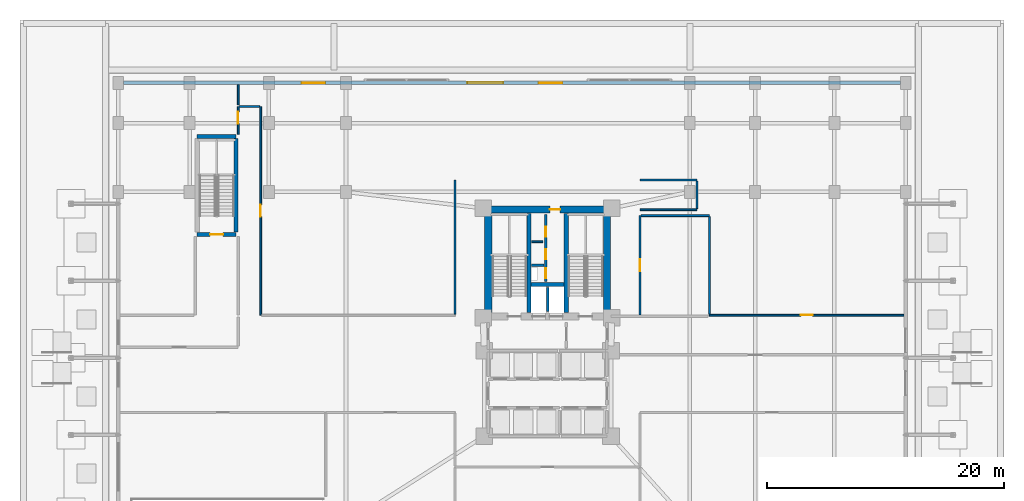
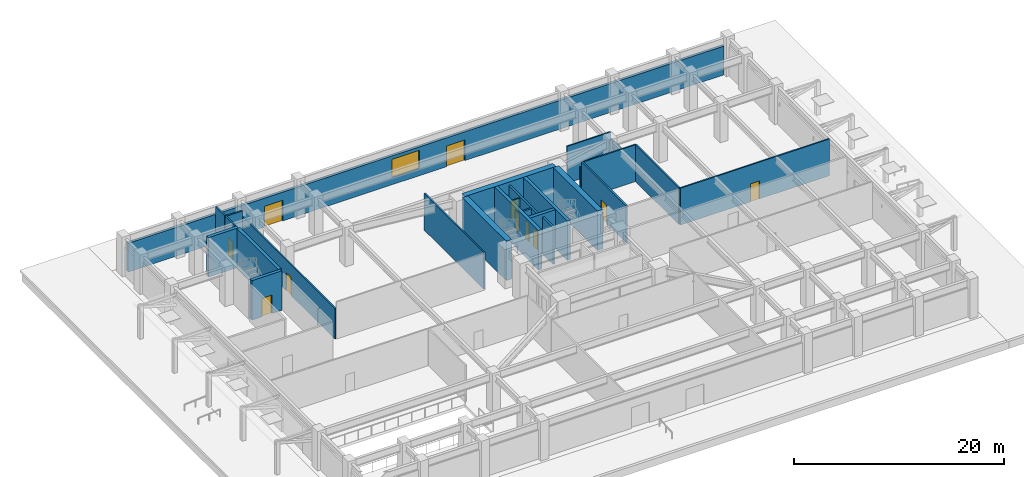
# One storey, part 18 of 23: 26 walls, 11 doors, 1 window, 12 openings.
"""IFC4 building model written with IfcOpenShell, lengths in metres."""

from ifc_helpers import new_model, si_unit, direction, frame, frame_2d, origin, place, context, subcontext, project, spatial, rectangle, extrude, material, layer, layer_set, type_object, element, fill, save


model = new_model("IFC4")

# Units and contexts
model_context = context("Model", 3, precision=1e-05, world=origin(), true_north=direction((0.0, 1.0)))
body_context = subcontext(model_context, "Body", "Model", "MODEL_VIEW")
ifc_project = project(units=[si_unit("LENGTHUNIT", "METRE"), si_unit("AREAUNIT", "SQUARE_METRE"), si_unit("VOLUMEUNIT", "CUBIC_METRE"), si_unit("PLANEANGLEUNIT", "RADIAN"), si_unit("MASSUNIT", "GRAM", prefix="KILO")], contexts=[model_context])

# Site, building, storey
site_placement = place(None, origin())
site = spatial("IfcSite", under=ifc_project, at=site_placement, CompositionType="ELEMENT")
building_placement = place(site_placement, origin())
building = spatial("IfcBuilding", under=site, at=building_placement, Name="Varnakorn Sky Granary", CompositionType="ELEMENT")
storey_placement = place(building_placement, origin())
storey = spatial("IfcBuildingStorey", under=building, at=storey_placement, Name="L00", CompositionType="ELEMENT", Elevation=0.0)

# Wall, opening, door
ifc_material_1 = material(Name="Concrete C50/60", Category="concrete")
ifc_layer_1 = layer(ifc_material_1, 0.35009765625, Name="Concrete C50/60")
ifc_layer_set_1 = layer_set([ifc_layer_1], Name="Concrete C50/60")
wall_type_1 = type_object("IfcWallType", Name="WT-CW-INT-350", PredefinedType="SHEAR", material=ifc_layer_set_1)
wall_1_placement = place(storey_placement, frame((-26.550048828125, 10.419921875, 0.0), z_axis=(0.0, 0.0, 1.0), x_axis=(1.0, 0.0, 0.0)))
wall_1 = element("IfcWall", 1, at=wall_1_placement, inside=storey, type_object=wall_type_1, Name="Podium Stair ST-B3 South Wall L00", PredefinedType="SHEAR", context=body_context, shape_type="SweptSolid", body=[
    extrude(rectangle(XDim=3.280029296875, YDim=0.35009765625, at=frame_2d((1.64013671875, 0.0))), origin(), (0.0, 0.0, 1.0), 4.592041015625),
])
opening_1_placement = place(wall_1_placement, frame((1.090087890625, 0.0, 0.0)))
opening_1 = element("IfcOpeningElement", 2, at=opening_1_placement, cuts=wall_1, Name="Opening FD-90", PredefinedType="OPENING", context=body_context, shape_type="SweptSolid", body=[
    extrude(rectangle(XDim=1.10009765625, YDim=2.14990234375, at=frame_2d((0.550048828125, 1.074951171875))), frame((0.0, 0.18505859375, 0.0), z_axis=(0.0, -1.0, 0.0), x_axis=(1.0, 0.0, 0.0)), (0.0, 0.0, 1.0), 0.3701171875),
])
ifc_material_2 = material(Name="Galvanised Painted Steel Leaf", Category="steel")
door_type_1 = type_object("IfcDoorType", Name="DR-STAIR-1100", OperationType="NOTDEFINED", PredefinedType="DOOR", material=ifc_material_2)
door_1_placement = place(opening_1_placement, origin())
door_1 = element("IfcDoor", 3, at=door_1_placement, inside=storey, type_object=door_type_1, Name="Basement Stair ST-B3 Protected Fire Door L00", OperationType="SINGLE_SWING_LEFT", OverallHeight=2.14990234375, OverallWidth=1.10009765625, PredefinedType="DOOR", context=body_context, shape_type="SweptSolid", body=[
    extrude(rectangle(XDim=1.10009765625, YDim=2.14990234375, at=frame_2d((0.550048828125, 1.074951171875))), frame((0.0, 0.02490234375, 0.0), z_axis=(0.0, -1.0, 0.0), x_axis=(1.0, 0.0, 0.0)), (0.0, 0.0, 1.0), 0.050048828125),
])
fill(opening_1, door_1)

# Walls
wall_2_placement = place(storey_placement, frame((-26.550048828125, 18.679931640625, 0.0), z_axis=(0.0, 0.0, 1.0), x_axis=(1.0, 0.0, 0.0)))
element("IfcWall", 4, at=wall_2_placement, inside=storey, type_object=wall_type_1, Name="Podium Stair ST-B3 North Wall L00", PredefinedType="SHEAR", context=body_context, shape_type="SweptSolid", body=[
    extrude(rectangle(XDim=3.280029296875, YDim=0.35009765625, at=frame_2d((1.64013671875, 0.0))), origin(), (0.0, 0.0, 1.0), 4.592041015625),
])
wall_3_placement = place(storey_placement, frame((-23.27001953125, 10.610107421875, 0.0), z_axis=(0.0, 0.0, 1.0), x_axis=(0.0, 1.0, 0.0)))
element("IfcWall", 5, at=wall_3_placement, inside=storey, type_object=wall_type_1, Name="Podium Stair ST-B3 East Wall L00", PredefinedType="SHEAR", context=body_context, shape_type="SweptSolid", body=[
    extrude(rectangle(XDim=7.8798828125, YDim=0.35009765625, at=frame_2d((3.93994140625, 0.0))), origin(), (0.0, 0.0, 1.0), 4.592041015625),
])
for number, where, z_axis, x_axis, name in (
    (6, (1.419921875, 3.81005859375, 0.0), (0.0, 0.0, 1.0), (0.0, 1.0, 0.0), "Stair ST-1 Core Wall L00"),
    (7, (4.580078125, 3.81005859375, 0.0), (0.0, 0.0, 1.0), (0.0, 1.0, 0.0), "Stair ST-2 Core Wall L00"),
):
    element("IfcWall", number, at=place(storey_placement, frame(where, z_axis=z_axis, x_axis=x_axis)), inside=storey, type_object=wall_type_1, Name=name, PredefinedType="SHEAR", context=body_context, shape_type="SweptSolid", body=[
        extrude(rectangle(XDim=8.3798828125, YDim=0.35009765625, at=frame_2d((4.18994140625, 0.0))), origin(), (0.0, 0.0, 1.0), 4.592041015625),
    ])
wall_4_placement = place(storey_placement, frame((1.610107421875, 6.199951171875, 0.0), z_axis=(0.0, 0.0, 1.0), x_axis=(1.0, 0.0, 0.0)))
element("IfcWall", 8, at=wall_4_placement, inside=storey, type_object=wall_type_1, Name="Core Lift Shaft Cross Wall L00", PredefinedType="SHEAR", context=body_context, shape_type="SweptSolid", body=[
    extrude(rectangle(XDim=2.77978515625, YDim=0.35009765625, at=frame_2d((1.389892578125, 0.0))), origin(), (0.0, 0.0, 1.0), 4.592041015625),
])

# Wall, opening, door
ifc_material_3 = material(Name="Concrete C60/75", Category="concrete")
ifc_layer_2 = layer(ifc_material_3, 0.60009765625, Name="Concrete C60/75")
ifc_layer_set_2 = layer_set([ifc_layer_2], Name="Concrete C60/75")
wall_type_2 = type_object("IfcWallType", Name="WT-CW-SHEAR-600", PredefinedType="SHEAR", material=ifc_layer_set_2)
wall_5_placement = place(storey_placement, frame((-2.0, 12.5, 0.0), z_axis=(0.0, 0.0, 1.0), x_axis=(1.0, 0.0, 0.0)))
wall_5 = element("IfcWall", 9, at=wall_5_placement, inside=storey, type_object=wall_type_2, Name="Core North Shear Wall L00", PredefinedType="SHEAR", context=body_context, shape_type="SweptSolid", body=[
    extrude(rectangle(XDim=10.0, YDim=0.60009765625, at=frame_2d((5.0, 0.0))), origin(), (0.0, 0.0, 1.0), 4.592041015625),
])
opening_2_placement = place(wall_5_placement, frame((5.199951171875, 0.0, 0.0)))
opening_2 = element("IfcOpeningElement", 10, at=opening_2_placement, cuts=wall_5, Name="Opening FD-60N", PredefinedType="OPENING", context=body_context, shape_type="SweptSolid", body=[
    extrude(rectangle(XDim=0.85009765625, YDim=2.10009765625, at=frame_2d((0.425048828125, 1.050048828125))), frame((0.0, 0.31005859375, 0.0), z_axis=(0.0, -1.0, 0.0), x_axis=(1.0, 0.0, 0.0)), (0.0, 0.0, 1.0), 0.6201171875),
])
ifc_material_4 = material(Name="Acoustic Timber Fire Leaf", Category="wood")
door_type_2 = type_object("IfcDoorType", Name="DR-FD60-850", OperationType="NOTDEFINED", PredefinedType="DOOR", material=ifc_material_4)
door_2_placement = place(opening_2_placement, origin())
door_2 = element("IfcDoor", 11, at=door_2_placement, inside=storey, type_object=door_type_2, Name="Core North Service Door L00", OperationType="SINGLE_SWING_RIGHT", OverallHeight=2.10009765625, OverallWidth=0.85009765625, PredefinedType="DOOR", context=body_context, shape_type="SweptSolid", body=[
    extrude(rectangle(XDim=0.85009765625, YDim=2.10009765625, at=frame_2d((0.425048828125, 1.050048828125))), frame((0.0, 0.02490234375, 0.0), z_axis=(0.0, -1.0, 0.0), x_axis=(1.0, 0.0, 0.0)), (0.0, 0.0, 1.0), 0.050048828125),
])
fill(opening_2, door_2)

# Walls
for number, where, z_axis, x_axis, name in (
    (12, (-2.0, 3.81005859375, 0.0), (0.0, 0.0, 1.0), (0.0, 1.0, 0.0), "Core West Shear Wall L00"),
    (13, (8.0, 3.81005859375, 0.0), (0.0, 0.0, 1.0), (0.0, 1.0, 0.0), "Core East Shear Wall L00"),
):
    element("IfcWall", number, at=place(storey_placement, frame(where, z_axis=z_axis, x_axis=x_axis)), inside=storey, type_object=wall_type_2, Name=name, PredefinedType="SHEAR", context=body_context, shape_type="SweptSolid", body=[
        extrude(rectangle(XDim=8.3798828125, YDim=0.60009765625, at=frame_2d((4.18994140625, 0.0))), origin(), (0.0, 0.0, 1.0), 4.592041015625),
    ])

# Wall, openings, doors, window
ifc_material_5 = material(Name="Precast concrete C40/50", Category="concrete")
ifc_layer_3 = layer(ifc_material_5, 0.300048828125, Name="Precast concrete C40/50")
ifc_layer_set_3 = layer_set([ifc_layer_3], Name="Precast concrete C40/50")
wall_type_3 = type_object("IfcWallType", Name="WT-EW-POD-300", PredefinedType="SOLIDWALL", material=ifc_layer_set_3)
wall_6_placement = place(storey_placement, frame((-32.7548828125, 23.199951171875, 0.0), z_axis=(0.0, 0.0, 1.0), x_axis=(1.0, 0.0, 0.0)))
wall_6 = element("IfcWall", 14, at=wall_6_placement, inside=storey, type_object=wall_type_3, Name="Podium Exterior Facade Wall L00-N", PredefinedType="SOLIDWALL", context=body_context, shape_type="SweptSolid", body=[
    extrude(rectangle(XDim=65.509765625, YDim=0.300048828125, at=frame_2d((32.7548828125, 0.0))), origin(), (0.0, 0.0, 1.0), 3.35009765625),
])
opening_3_placement = place(wall_6_placement, frame((15.0, 0.0, 0.0)))
opening_3 = element("IfcOpeningElement", 15, at=opening_3_placement, cuts=wall_6, Name="Opening ED-03", PredefinedType="OPENING", context=body_context, shape_type="SweptSolid", body=[
    extrude(rectangle(XDim=2.0, YDim=2.39990234375, at=frame_2d((1.0, 1.199951171875))), frame((0.0, 0.16015625, 0.0), z_axis=(0.0, -1.0, 0.0), x_axis=(1.0, 0.0, 0.0)), (0.0, 0.0, 1.0), 0.320068359375),
])
opening_4_placement = place(wall_6_placement, frame((35.0, 0.0, 0.0)))
opening_4 = element("IfcOpeningElement", 16, at=opening_4_placement, cuts=wall_6, Name="Opening ED-04", PredefinedType="OPENING", context=body_context, shape_type="SweptSolid", body=[
    extrude(rectangle(XDim=2.0, YDim=2.39990234375, at=frame_2d((1.0, 1.199951171875))), frame((0.0, 0.16015625, 0.0), z_axis=(0.0, -1.0, 0.0), x_axis=(1.0, 0.0, 0.0)), (0.0, 0.0, 1.0), 0.320068359375),
])
opening_5_placement = place(wall_6_placement, frame((29.0, 0.0, 0.85009765625)))
opening_5 = element("IfcOpeningElement", 17, at=opening_5_placement, cuts=wall_6, Name="Opening WN-03", PredefinedType="OPENING", context=body_context, shape_type="SweptSolid", body=[
    extrude(rectangle(XDim=3.0, YDim=2.10009765625, at=frame_2d((1.5, 1.050048828125))), frame((0.0, 0.16015625, 0.0), z_axis=(0.0, -1.0, 0.0), x_axis=(1.0, 0.0, 0.0)), (0.0, 0.0, 1.0), 0.320068359375),
])
ifc_material_6 = material(Name="Anodised Bronze Aluminium Alloy 6063-T6", Category="aluminium")
door_type_3 = type_object("IfcDoorType", Name="DR-EXIT-2000", OperationType="NOTDEFINED", PredefinedType="DOOR", material=ifc_material_6)
door_3_placement = place(opening_3_placement, origin())
door_3 = element("IfcDoor", 18, at=door_3_placement, inside=storey, type_object=door_type_3, Name="Final Exit Pedestrian Door ED-03", OperationType="DOUBLE_DOOR_SINGLE_SWING", OverallHeight=2.39990234375, OverallWidth=2.0, PredefinedType="DOOR", context=body_context, shape_type="SweptSolid", body=[
    extrude(rectangle(XDim=2.0, YDim=2.39990234375, at=frame_2d((1.0, 1.199951171875))), frame((0.0, 0.02490234375, 0.0), z_axis=(0.0, -1.0, 0.0), x_axis=(1.0, 0.0, 0.0)), (0.0, 0.0, 1.0), 0.050048828125),
])
fill(opening_3, door_3)
door_4_placement = place(opening_4_placement, origin())
door_4 = element("IfcDoor", 19, at=door_4_placement, inside=storey, type_object=door_type_3, Name="Final Exit Pedestrian Door ED-04", OperationType="DOUBLE_DOOR_SINGLE_SWING", OverallHeight=2.39990234375, OverallWidth=2.0, PredefinedType="DOOR", context=body_context, shape_type="SweptSolid", body=[
    extrude(rectangle(XDim=2.0, YDim=2.39990234375, at=frame_2d((1.0, 1.199951171875))), frame((0.0, 0.02490234375, 0.0), z_axis=(0.0, -1.0, 0.0), x_axis=(1.0, 0.0, 0.0)), (0.0, 0.0, 1.0), 0.050048828125),
])
fill(opening_4, door_4)
ifc_material_7 = material(Name="Low-E Tinted Laminated Glass", Category="glass")
window_type = type_object("IfcWindowType", Name="WN-MKT-3000", PartitioningType="SINGLE_PANEL", PredefinedType="WINDOW", material=ifc_material_7)
window_placement = place(opening_5_placement, origin())
window = element("IfcWindow", 20, at=window_placement, inside=storey, type_object=window_type, Name="Podium Facade Window L00-N", OverallHeight=2.10009765625, OverallWidth=3.0, PartitioningType="SINGLE_PANEL", PredefinedType="WINDOW", context=body_context, shape_type="SweptSolid", body=[
    extrude(rectangle(XDim=3.0, YDim=2.10009765625, at=frame_2d((1.5, 1.050048828125))), frame((0.0, 0.030029296875, 0.0), z_axis=(0.0, -1.0, 0.0), x_axis=(1.0, 0.0, 0.0)), (0.0, 0.0, 1.0), 0.06005859375),
])
fill(opening_5, window)

# Wall, openings, doors
ifc_material_8 = material(Name="Autoclaved Aerated Concrete Blockwork", Category="masonry")
ifc_layer_4 = layer(ifc_material_8, 0.199951171875, Name="Autoclaved Aerated Concrete Blockwork")
ifc_layer_set_4 = layer_set([ifc_layer_4], Name="Autoclaved Aerated Concrete Blockwork")
wall_type_4 = type_object("IfcWallType", Name="WT-FIRE-200", PredefinedType="MOVABLE", material=ifc_layer_set_4)
wall_7_placement = place(storey_placement, frame((2.85009765625, 6.449951171875, 0.0), z_axis=(0.0, 0.0, 1.0), x_axis=(0.0, 1.0, 0.0)))
wall_7 = element("IfcWall", 21, at=wall_7_placement, inside=storey, type_object=wall_type_4, Name="Interior Partition Wall L00-016", PredefinedType="MOVABLE", context=body_context, shape_type="SweptSolid", body=[
    extrude(rectangle(XDim=5.650146484375, YDim=0.199951171875, at=frame_2d((2.8251953125, 0.0))), origin(), (0.0, 0.0, 1.0), 4.280029296875),
])
opening_6_placement = place(wall_7_placement, frame((1.8798828125, 0.0, 0.0)))
opening_6 = element("IfcOpeningElement", 22, at=opening_6_placement, cuts=wall_7, Name="Opening RD-85", PredefinedType="OPENING", context=body_context, shape_type="SweptSolid", body=[
    extrude(rectangle(XDim=0.85009765625, YDim=2.050048828125, at=frame_2d((0.425048828125, 1.02490234375))), frame((0.0, 0.10986328125, 0.0), z_axis=(0.0, -1.0, 0.0), x_axis=(1.0, 0.0, 0.0)), (0.0, 0.0, 1.0), 0.219970703125),
])
opening_7_placement = place(wall_7_placement, frame((3.75, 0.0, 0.0)))
opening_7 = element("IfcOpeningElement", 23, at=opening_7_placement, cuts=wall_7, Name="Opening FD-60N", PredefinedType="OPENING", context=body_context, shape_type="SweptSolid", body=[
    extrude(rectangle(XDim=0.85009765625, YDim=2.10009765625, at=frame_2d((0.425048828125, 1.050048828125))), frame((0.0, 0.10986328125, 0.0), z_axis=(0.0, -1.0, 0.0), x_axis=(1.0, 0.0, 0.0)), (0.0, 0.0, 1.0), 0.219970703125),
])
opening_8_placement = place(wall_7_placement, frame((0.280029296875, 0.0, 0.0)))
opening_8 = element("IfcOpeningElement", 24, at=opening_8_placement, cuts=wall_7, Name="Opening FD-60N", PredefinedType="OPENING", context=body_context, shape_type="SweptSolid", body=[
    extrude(rectangle(XDim=0.85009765625, YDim=2.10009765625, at=frame_2d((0.425048828125, 1.050048828125))), frame((0.0, 0.10986328125, 0.0), z_axis=(0.0, -1.0, 0.0), x_axis=(1.0, 0.0, 0.0)), (0.0, 0.0, 1.0), 0.219970703125),
])
door_5_placement = place(opening_7_placement, origin())
door_5 = element("IfcDoor", 25, at=door_5_placement, inside=storey, type_object=door_type_2, Name="Interior Door L00-016-2", OperationType="SINGLE_SWING_LEFT", OverallHeight=2.10009765625, OverallWidth=0.85009765625, PredefinedType="DOOR", context=body_context, shape_type="SweptSolid", body=[
    extrude(rectangle(XDim=0.85009765625, YDim=2.10009765625, at=frame_2d((0.425048828125, 1.050048828125))), frame((0.0, 0.02490234375, 0.0), z_axis=(0.0, -1.0, 0.0), x_axis=(1.0, 0.0, 0.0)), (0.0, 0.0, 1.0), 0.050048828125),
])
fill(opening_7, door_5)
door_6_placement = place(opening_8_placement, origin())
door_6 = element("IfcDoor", 26, at=door_6_placement, inside=storey, type_object=door_type_2, Name="Interior Door L00-016-3", OperationType="SINGLE_SWING_RIGHT", OverallHeight=2.10009765625, OverallWidth=0.85009765625, PredefinedType="DOOR", context=body_context, shape_type="SweptSolid", body=[
    extrude(rectangle(XDim=0.85009765625, YDim=2.10009765625, at=frame_2d((0.425048828125, 1.050048828125))), frame((0.0, 0.02490234375, 0.0), z_axis=(0.0, -1.0, 0.0), x_axis=(1.0, 0.0, 0.0)), (0.0, 0.0, 1.0), 0.050048828125),
])
fill(opening_8, door_6)
door_type_4 = type_object("IfcDoorType", Name="DR-RIS-850", OperationType="NOTDEFINED", PredefinedType="DOOR", material=ifc_material_2)
door_7_placement = place(opening_6_placement, origin())
door_7 = element("IfcDoor", 27, at=door_7_placement, inside=storey, type_object=door_type_4, Name="MEP Riser Shaft Access Door L00-016-1", OperationType="SINGLE_SWING_RIGHT", OverallHeight=2.050048828125, OverallWidth=0.85009765625, PredefinedType="DOOR", context=body_context, shape_type="SweptSolid", body=[
    extrude(rectangle(XDim=0.85009765625, YDim=2.050048828125, at=frame_2d((0.425048828125, 1.02490234375))), frame((0.0, 0.02490234375, 0.0), z_axis=(0.0, -1.0, 0.0), x_axis=(1.0, 0.0, 0.0)), (0.0, 0.0, 1.0), 0.050048828125),
])
fill(opening_6, door_7)

# Wall, opening, door
ifc_material_9 = material(Name="Gypsum Plasterboard on Steel Stud", Category="steel")
ifc_layer_5 = layer(ifc_material_9, 0.14990234375, Name="Gypsum Plasterboard on Steel Stud")
ifc_layer_set_5 = layer_set([ifc_layer_5], Name="Gypsum Plasterboard on Steel Stud")
wall_type_5 = type_object("IfcWallType", Name="WT-PART-150", PredefinedType="PARTITIONING", material=ifc_layer_set_5)
wall_8_placement = place(storey_placement, frame((-23.10009765625, 21.199951171875, 0.0), z_axis=(0.0, 0.0, 1.0), x_axis=(0.0, -1.0, 0.0)))
wall_8 = element("IfcWall", 28, at=wall_8_placement, inside=storey, type_object=wall_type_5, Name="Interior Partition Wall L00-028", PredefinedType="PARTITIONING", context=body_context, shape_type="SweptSolid", body=[
    extrude(rectangle(XDim=2.349853515625, YDim=0.14990234375, at=frame_2d((1.1748046875, 0.0))), origin(), (0.0, 0.0, 1.0), 4.280029296875),
])
opening_9_placement = place(wall_8_placement, frame((0.449951171875, 0.0, 0.0)))
opening_9 = element("IfcOpeningElement", 29, at=opening_9_placement, cuts=wall_8, Name="Opening ID-100", PredefinedType="OPENING", context=body_context, shape_type="SweptSolid", body=[
    extrude(rectangle(XDim=1.0, YDim=2.10009765625, at=frame_2d((0.5, 1.050048828125))), frame((0.0, 0.0849609375, 0.0), z_axis=(0.0, -1.0, 0.0), x_axis=(1.0, 0.0, 0.0)), (0.0, 0.0, 1.0), 0.169921875),
])
ifc_material_10 = material(Name="Solid-Core Teak Veneer Leaf", Category="timber")
door_type_5 = type_object("IfcDoorType", Name="DR-INT-1000", OperationType="NOTDEFINED", PredefinedType="DOOR", material=ifc_material_10)
door_8_placement = place(opening_9_placement, origin())
door_8 = element("IfcDoor", 30, at=door_8_placement, inside=storey, type_object=door_type_5, Name="Interior Door L00-028-1", OperationType="SINGLE_SWING_RIGHT", OverallHeight=2.10009765625, OverallWidth=1.0, PredefinedType="DOOR", context=body_context, shape_type="SweptSolid", body=[
    extrude(rectangle(XDim=1.0, YDim=2.10009765625, at=frame_2d((0.5, 1.050048828125))), frame((0.0, 0.02490234375, 0.0), z_axis=(0.0, -1.0, 0.0), x_axis=(1.0, 0.0, 0.0)), (0.0, 0.0, 1.0), 0.050048828125),
])
fill(opening_9, door_8)

wall_9_placement = place(storey_placement, frame((-21.199951171875, 3.60009765625, 0.0), z_axis=(0.0, 0.0, 1.0), x_axis=(0.0, 1.0, 0.0)))
wall_9 = element("IfcWall", 31, at=wall_9_placement, inside=storey, type_object=wall_type_5, Name="Interior Partition Wall L00-029", PredefinedType="PARTITIONING", context=body_context, shape_type="SweptSolid", body=[
    extrude(rectangle(XDim=17.599853515625, YDim=0.14990234375, at=frame_2d((8.7998046875, 0.0))), origin(), (0.0, 0.0, 1.0), 3.56201171875),
])
opening_10_placement = place(wall_9_placement, frame((8.300048828125, 0.0, 0.0)))
opening_10 = element("IfcOpeningElement", 32, at=opening_10_placement, cuts=wall_9, Name="Opening ID-100", PredefinedType="OPENING", context=body_context, shape_type="SweptSolid", body=[
    extrude(rectangle(XDim=1.0, YDim=2.10009765625, at=frame_2d((0.5, 1.050048828125))), frame((0.0, 0.0849609375, 0.0), z_axis=(0.0, -1.0, 0.0), x_axis=(1.0, 0.0, 0.0)), (0.0, 0.0, 1.0), 0.169921875),
])
door_9_placement = place(opening_10_placement, origin())
door_9 = element("IfcDoor", 33, at=door_9_placement, inside=storey, type_object=door_type_5, Name="Interior Door L00-029-1", OperationType="SINGLE_SWING_LEFT", OverallHeight=2.10009765625, OverallWidth=1.0, PredefinedType="DOOR", context=body_context, shape_type="SweptSolid", body=[
    extrude(rectangle(XDim=1.0, YDim=2.10009765625, at=frame_2d((0.5, 1.050048828125))), frame((0.0, 0.02490234375, 0.0), z_axis=(0.0, -1.0, 0.0), x_axis=(1.0, 0.0, 0.0)), (0.0, 0.0, 1.0), 0.050048828125),
])
fill(opening_10, door_9)

wall_10_placement = place(storey_placement, frame((33.050048828125, 3.60009765625, 0.0), z_axis=(0.0, 0.0, 1.0), x_axis=(-1.0, 0.0, 0.0)))
wall_10 = element("IfcWall", 34, at=wall_10_placement, inside=storey, type_object=wall_type_5, Name="Interior Partition Wall L00-031", PredefinedType="PARTITIONING", context=body_context, shape_type="SweptSolid", body=[
    extrude(rectangle(XDim=16.400146484375, YDim=0.14990234375, at=frame_2d((8.2001953125, 0.0))), origin(), (0.0, 0.0, 1.0), 4.280029296875),
])
opening_11_placement = place(wall_10_placement, frame((7.699951171875, 0.0, 0.0)))
opening_11 = element("IfcOpeningElement", 35, at=opening_11_placement, cuts=wall_10, Name="Opening ID-100", PredefinedType="OPENING", context=body_context, shape_type="SweptSolid", body=[
    extrude(rectangle(XDim=1.0, YDim=2.10009765625, at=frame_2d((0.5, 1.050048828125))), frame((0.0, 0.0849609375, 0.0), z_axis=(0.0, -1.0, 0.0), x_axis=(1.0, 0.0, 0.0)), (0.0, 0.0, 1.0), 0.169921875),
])
door_10_placement = place(opening_11_placement, origin())
door_10 = element("IfcDoor", 36, at=door_10_placement, inside=storey, type_object=door_type_5, Name="Interior Door L00-031-1", OperationType="SINGLE_SWING_LEFT", OverallHeight=2.10009765625, OverallWidth=1.0, PredefinedType="DOOR", context=body_context, shape_type="SweptSolid", body=[
    extrude(rectangle(XDim=1.0, YDim=2.10009765625, at=frame_2d((0.5, 1.050048828125))), frame((0.0, 0.02490234375, 0.0), z_axis=(0.0, -1.0, 0.0), x_axis=(1.0, 0.0, 0.0)), (0.0, 0.0, 1.0), 0.050048828125),
])
fill(opening_11, door_10)

# Walls
wall_11_placement = place(storey_placement, frame((1.64990234375, 9.800048828125, 0.0), z_axis=(0.0, 0.0, 1.0), x_axis=(1.0, 0.0, 0.0)))
element("IfcWall", 37, at=wall_11_placement, inside=storey, type_object=wall_type_5, Name="Interior Partition Wall L00-032", PredefinedType="PARTITIONING", context=body_context, shape_type="SweptSolid", body=[
    extrude(rectangle(XDim=0.960205078125, YDim=0.14990234375, at=frame_2d((0.47998046875, 0.0))), origin(), (0.0, 0.0, 1.0), 4.280029296875),
])
wall_12_placement = place(storey_placement, frame((-4.800048828125, 15.0, 0.0), z_axis=(0.0, 0.0, 1.0), x_axis=(0.0, -1.0, 0.0)))
element("IfcWall", 38, at=wall_12_placement, inside=storey, type_object=wall_type_5, Name="Interior Partition Wall L00-040", PredefinedType="PARTITIONING", context=body_context, shape_type="SweptSolid", body=[
    extrude(rectangle(XDim=11.31494140625, YDim=0.14990234375, at=frame_2d((5.657470703125, 0.0))), origin(), (0.0, 0.0, 1.0), 4.280029296875),
])
wall_13_placement = place(storey_placement, frame((-21.284912109375, 21.199951171875, 0.0), z_axis=(0.0, 0.0, 1.0), x_axis=(-1.0, 0.0, 0.0)))
element("IfcWall", 39, at=wall_13_placement, inside=storey, type_object=wall_type_5, Name="Interior Partition Wall L00-041", PredefinedType="PARTITIONING", context=body_context, shape_type="SweptSolid", body=[
    extrude(rectangle(XDim=1.72998046875, YDim=0.14990234375, at=frame_2d((0.864990234375, 0.0))), origin(), (0.0, 0.0, 1.0), 4.280029296875),
])
wall_14_placement = place(storey_placement, frame((10.800048828125, 12.5, 0.0), z_axis=(0.0, 0.0, 1.0), x_axis=(1.0, 0.0, 0.0)))
element("IfcWall", 40, at=wall_14_placement, inside=storey, type_object=wall_type_5, Name="Interior Partition Wall L00-042", PredefinedType="PARTITIONING", context=body_context, shape_type="SweptSolid", body=[
    extrude(rectangle(XDim=4.800048828125, YDim=0.14990234375, at=frame_2d((2.39990234375, 0.0))), origin(), (0.0, 0.0, 1.0), 3.362060546875),
])
wall_15_placement = place(storey_placement, frame((15.60009765625, 15.0, 0.0), z_axis=(0.0, 0.0, 1.0), x_axis=(-1.0, 0.0, 0.0)))
element("IfcWall", 41, at=wall_15_placement, inside=storey, type_object=wall_type_5, Name="Interior Partition Wall L00-043", PredefinedType="PARTITIONING", context=body_context, shape_type="SweptSolid", body=[
    extrude(rectangle(XDim=4.800048828125, YDim=0.14990234375, at=frame_2d((2.39990234375, 0.0))), origin(), (0.0, 0.0, 1.0), 4.280029296875),
])
wall_16_placement = place(storey_placement, frame((15.60009765625, 12.5849609375, 0.0), z_axis=(0.0, 0.0, 1.0), x_axis=(0.0, 1.0, 0.0)))
element("IfcWall", 42, at=wall_16_placement, inside=storey, type_object=wall_type_5, Name="Interior Partition Wall L00-044", PredefinedType="PARTITIONING", context=body_context, shape_type="SweptSolid", body=[
    extrude(rectangle(XDim=2.330078125, YDim=0.14990234375, at=frame_2d((1.1650390625, 0.0))), origin(), (0.0, 0.0, 1.0), 3.56201171875),
])
wall_17_placement = place(storey_placement, frame((-23.10009765625, 23.050048828125, 0.0), z_axis=(0.0, 0.0, 1.0), x_axis=(0.0, -1.0, 0.0)))
element("IfcWall", 43, at=wall_17_placement, inside=storey, type_object=wall_type_5, Name="Interior Partition Wall L00-050", PredefinedType="PARTITIONING", context=body_context, shape_type="SweptSolid", body=[
    extrude(rectangle(XDim=1.715087890625, YDim=0.14990234375, at=frame_2d((0.857421875, 0.0))), origin(), (0.0, 0.0, 1.0), 4.280029296875),
])
wall_18_placement = place(storey_placement, frame((10.89990234375, 12.0, 0.0), z_axis=(0.0, 0.0, 1.0), x_axis=(1.0, 0.0, 0.0)))
element("IfcWall", 44, at=wall_18_placement, inside=storey, type_object=wall_type_5, Name="Interior Partition Wall L00-051", PredefinedType="PARTITIONING", context=body_context, shape_type="SweptSolid", body=[
    extrude(rectangle(XDim=5.75, YDim=0.14990234375, at=frame_2d((2.875, 0.0))), origin(), (0.0, 0.0, 1.0), 4.280029296875),
])
wall_19_placement = place(storey_placement, frame((16.64990234375, 11.9150390625, 0.0), z_axis=(0.0, 0.0, 1.0), x_axis=(0.0, -1.0, 0.0)))
element("IfcWall", 45, at=wall_19_placement, inside=storey, type_object=wall_type_5, Name="Interior Partition Wall L00-052", PredefinedType="PARTITIONING", context=body_context, shape_type="SweptSolid", body=[
    extrude(rectangle(XDim=8.22998046875, YDim=0.14990234375, at=frame_2d((4.114990234375, 0.0))), origin(), (0.0, 0.0, 1.0), 4.280029296875),
])

# Wall, opening, door
ifc_material_11 = material(Name="Moisture-Resistant Gypsum on Stud", Category="gypsum")
ifc_layer_6 = layer(ifc_material_11, 0.179931640625, Name="Moisture-Resistant Gypsum on Stud")
ifc_layer_set_6 = layer_set([ifc_layer_6], Name="Moisture-Resistant Gypsum on Stud")
wall_type_6 = type_object("IfcWallType", Name="WT-PLUMB-180", PredefinedType="PLUMBINGWALL", material=ifc_layer_set_6)
wall_20_placement = place(storey_placement, frame((10.800048828125, 3.60009765625, 0.0), z_axis=(0.0, 0.0, 1.0), x_axis=(0.0, 1.0, 0.0)))
wall_20 = element("IfcWall", 46, at=wall_20_placement, inside=storey, type_object=wall_type_6, Name="Interior Partition Wall L00-030", PredefinedType="PLUMBINGWALL", context=body_context, shape_type="SweptSolid", body=[
    extrude(rectangle(XDim=8.39990234375, YDim=0.179931640625, at=frame_2d((4.199951171875, 0.0))), origin(), (0.0, 0.0, 1.0), 4.280029296875),
])
opening_12_placement = place(wall_20_placement, frame((3.699951171875, 0.0, 0.0)))
opening_12 = element("IfcOpeningElement", 47, at=opening_12_placement, cuts=wall_20, Name="Opening ID-100", PredefinedType="OPENING", context=body_context, shape_type="SweptSolid", body=[
    extrude(rectangle(XDim=1.0, YDim=2.10009765625, at=frame_2d((0.5, 1.050048828125))), frame((0.0, 0.10009765625, 0.0), z_axis=(0.0, -1.0, 0.0), x_axis=(1.0, 0.0, 0.0)), (0.0, 0.0, 1.0), 0.199951171875),
])
door_11_placement = place(opening_12_placement, origin())
door_11 = element("IfcDoor", 48, at=door_11_placement, inside=storey, type_object=door_type_5, Name="Interior Door L00-030-1", OperationType="SINGLE_SWING_RIGHT", OverallHeight=2.10009765625, OverallWidth=1.0, PredefinedType="DOOR", context=body_context, shape_type="SweptSolid", body=[
    extrude(rectangle(XDim=1.0, YDim=2.10009765625, at=frame_2d((0.5, 1.050048828125))), frame((0.0, 0.02490234375, 0.0), z_axis=(0.0, -1.0, 0.0), x_axis=(1.0, 0.0, 0.0)), (0.0, 0.0, 1.0), 0.050048828125),
])
fill(opening_12, door_11)

# Walls
ifc_layer_7 = layer(ifc_material_8, 0.199951171875, Name="Autoclaved Aerated Concrete Blockwork")
ifc_layer_set_7 = layer_set([ifc_layer_7], Name="Autoclaved Aerated Concrete Blockwork")
wall_type_7 = type_object("IfcWallType", Name="WT-SHAFT-200", PredefinedType="SOLIDWALL", material=ifc_layer_set_7)
wall_21_placement = place(storey_placement, frame((3.0, 3.919921875, 0.0), z_axis=(0.0, 0.0, 1.0), x_axis=(0.0, 1.0, 0.0)))
element("IfcWall", 49, at=wall_21_placement, inside=storey, type_object=wall_type_7, Name="Interior Partition Wall L00-001", PredefinedType="SOLIDWALL", context=body_context, shape_type="SweptSolid", body=[
    extrude(rectangle(XDim=2.030029296875, YDim=0.199951171875, at=frame_2d((1.01513671875, 0.0))), origin(), (0.0, 0.0, 1.0), 4.280029296875),
])
wall_22_placement = place(storey_placement, frame((1.64990234375, 7.800048828125, 0.0), z_axis=(0.0, 0.0, 1.0), x_axis=(1.0, 0.0, 0.0)))
element("IfcWall", 50, at=wall_22_placement, inside=storey, type_object=wall_type_7, Name="Interior Partition Wall L00-002", PredefinedType="SOLIDWALL", context=body_context, shape_type="SweptSolid", body=[
    extrude(rectangle(XDim=1.070068359375, YDim=0.199951171875, at=frame_2d((0.53515625, 0.0))), origin(), (0.0, 0.0, 1.0), 4.280029296875),
])

save(model, "model.ifc")
